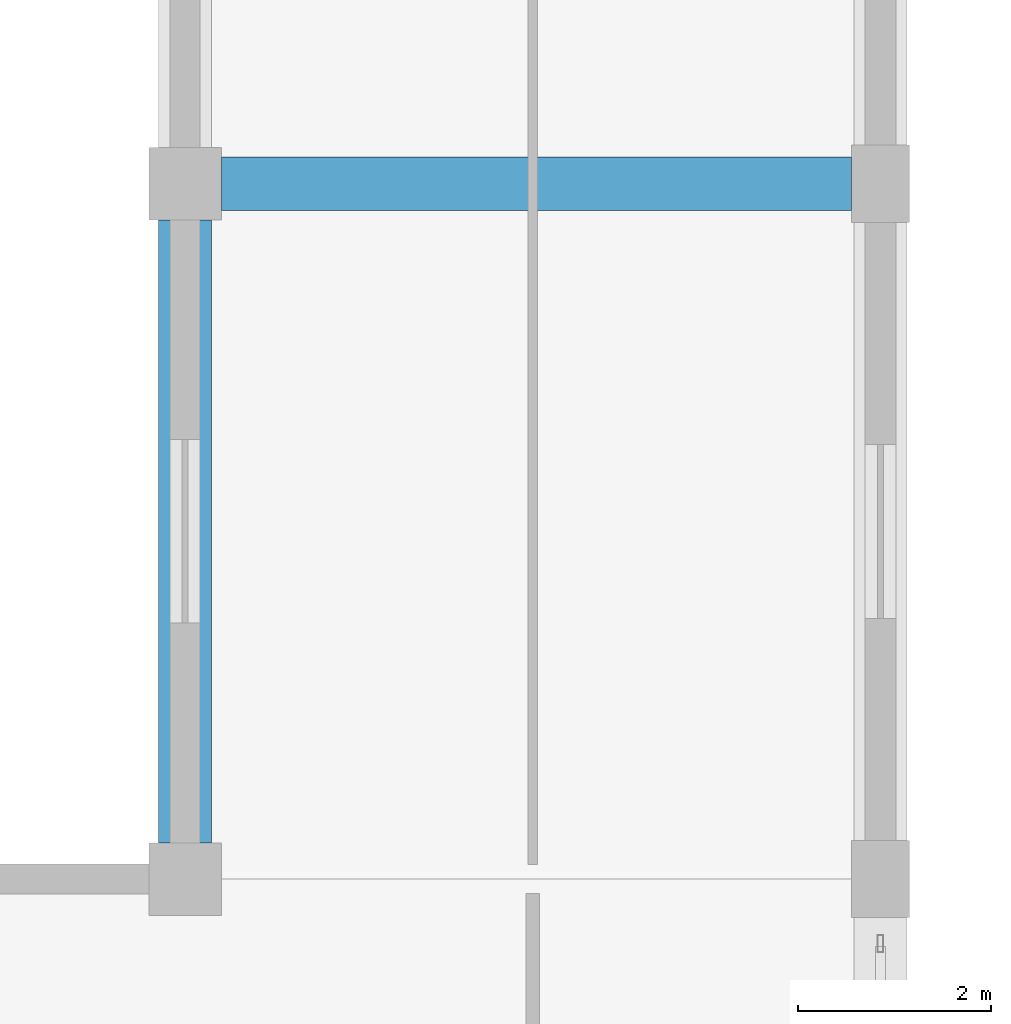
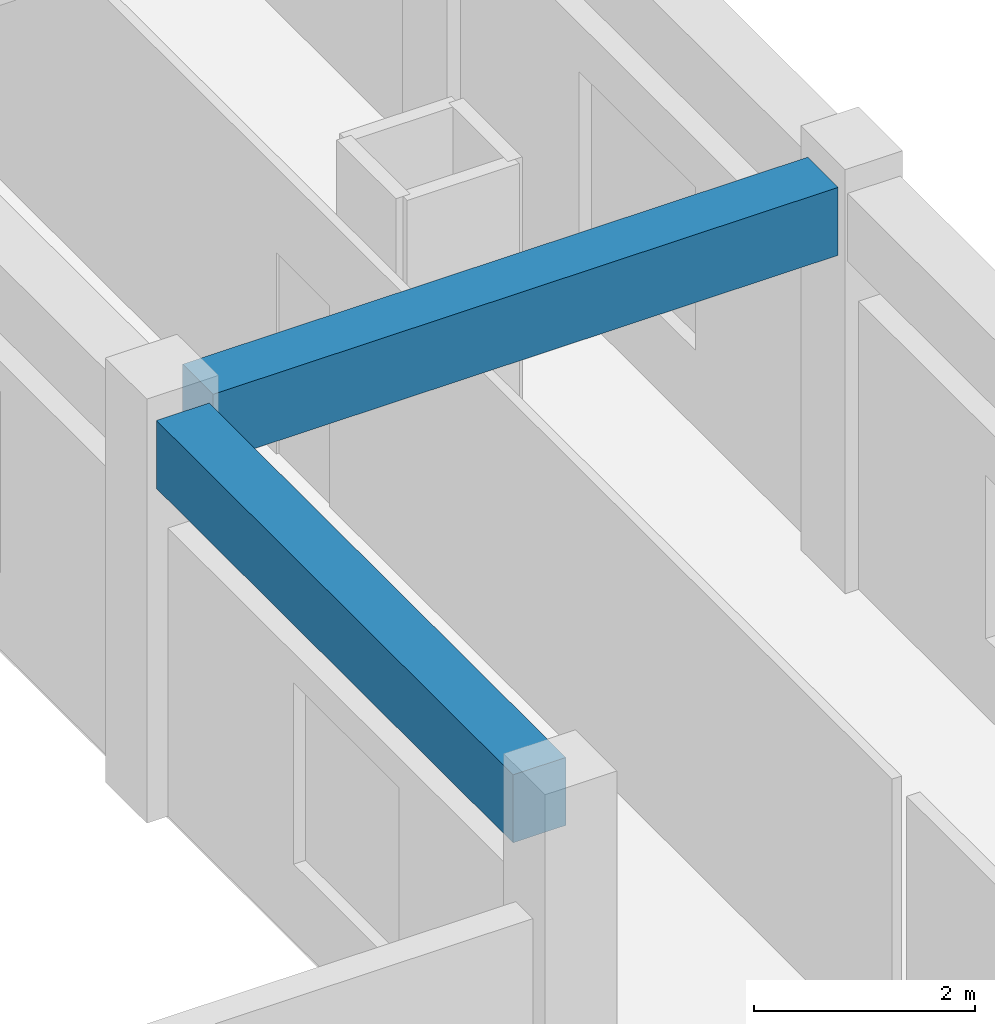
# One storey, part 22 of 55: 2 beams.
"""IFC4 building model written with IfcOpenShell, lengths in metres."""

import ifcopenshell
import ifcopenshell.guid

model = None  # the IFC model being written
_history = None  # IfcOwnerHistory: only IFC2X3 demands one
_inside = {}  # id of a spatial element -> (the spatial element, [elements in it])
_under = {}  # id of a project, library or spatial element -> (it, [spatial elements below it])
_declared = {}  # id of a project -> (the project, [libraries it declares])
_typed = {}  # id of a type object -> (the type object, [elements of that type])
_made_of = {}  # id of a material, layer set ... -> (it, [elements and type objects made of it])


def new_model(schema):
    """Start an empty IFC model of exactly this schema.

    Asked for "IFC4X3", IfcOpenShell would pick the latest addendum, in which some entities
    have other attributes; the version numbers below select the first issue.
    IFC2X3 requires an IfcOwnerHistory on every rooted entity: one is made here for all.
    """
    global model, _history
    if schema == "IFC4X3":
        model = ifcopenshell.file(schema_version=(4, 3, 0, 0))
    else:
        model = ifcopenshell.file(schema=schema)
    _inside.clear()
    _under.clear()
    _declared.clear()
    _typed.clear()
    _made_of.clear()
    _history = None
    if model.schema == "IFC2X3":
        org = make("IfcOrganization", Name="unknown")
        user = make(
            "IfcPersonAndOrganization",
            ThePerson=make("IfcPerson", FamilyName="unknown"),
            TheOrganization=org,
        )
        app = make(
            "IfcApplication",
            ApplicationDeveloper=org,
            Version="unknown",
            ApplicationFullName="unknown",
            ApplicationIdentifier="unknown",
        )
        _history = make(
            "IfcOwnerHistory",
            OwningUser=user,
            OwningApplication=app,
            ChangeAction="ADDED",
            CreationDate=0,
        )
    return model


def make(cls, **values):
    """One entity of the class cls with the attributes given. An attribute that is None is left unset."""
    return model.create_entity(
        cls, **{name: value for name, value in values.items() if value is not None}
    )


def rooted(cls, **values):
    """An entity with a GlobalId (a new one), such as an element, a storey or a relation."""
    return make(cls, GlobalId=ifcopenshell.guid.new(), OwnerHistory=_history, **values)


def si_unit(unit_type, name, prefix=None):
    """IfcSIUnit, for example si_unit("LENGTHUNIT", "METRE", prefix="MILLI")."""
    return make("IfcSIUnit", UnitType=unit_type, Prefix=prefix, Name=name)


def assignment(units):
    """IfcUnitAssignment: the units of a project."""
    return None if units is None else make("IfcUnitAssignment", Units=units)


def point(xyz):
    """IfcCartesianPoint."""
    return None if xyz is None else make("IfcCartesianPoint", Coordinates=xyz)


def direction(xyz):
    """IfcDirection."""
    return None if xyz is None else make("IfcDirection", DirectionRatios=xyz)


def frame(location, z_axis=None, x_axis=None):
    """IfcAxis2Placement3D, a coordinate frame: its origin and axes. An axis left out is left unset."""
    return make(
        "IfcAxis2Placement3D",
        Location=point(location),
        Axis=direction(z_axis),
        RefDirection=direction(x_axis),
    )


def frame_2d(location, x_axis=None):
    """IfcAxis2Placement2D, a coordinate frame in the plane: its origin and x axis."""
    return make(
        "IfcAxis2Placement2D", Location=point(location), RefDirection=direction(x_axis)
    )


def origin():
    """The frame at (0, 0, 0) with its axes left unset."""
    return frame((0.0, 0.0, 0.0))


def origin_2d():
    """The frame at (0, 0) in the plane with its x axis left unset."""
    return frame_2d((0.0, 0.0))


def place(relative_to, where):
    """IfcLocalPlacement: puts the frame where relative to a parent placement (None: the world)."""
    return make(
        "IfcLocalPlacement", PlacementRelTo=relative_to, RelativePlacement=where
    )


def context(
    kind, dimensions, precision=None, world=None, true_north=None, identifier=None
):
    """IfcGeometricRepresentationContext, for example the 3D "Model" context."""
    return make(
        "IfcGeometricRepresentationContext",
        ContextIdentifier=identifier,
        ContextType=kind,
        CoordinateSpaceDimension=dimensions,
        Precision=precision,
        WorldCoordinateSystem=world,
        TrueNorth=true_north,
    )


def subcontext(parent, identifier, kind, view, scale=None):
    """IfcGeometricRepresentationSubContext, for example "Body" below "Model"."""
    return make(
        "IfcGeometricRepresentationSubContext",
        ContextIdentifier=identifier,
        ContextType=kind,
        ParentContext=parent,
        TargetScale=scale,
        TargetView=view,
    )


def project(units=None, contexts=None):
    """IfcProject with its units and contexts."""
    return rooted(
        "IfcProject",
        Name="project",
        RepresentationContexts=contexts,
        UnitsInContext=assignment(units),
    )


def spatial(cls, under=None, at=None, **own):
    """A site, building, storey or space (cls), placed at a placement, below another one or the project."""
    s = rooted(cls, ObjectPlacement=at, **own)
    if under is not None:
        _under.setdefault(under.id(), (under, []))[1].append(s)
    return s


def profile(cls, at=None, kind="AREA", **sizes):
    """A parametric profile (cls). Its sizes go by their IFC names, for example OverallWidth=200.0."""
    return make(cls, ProfileType=kind, Position=at, **sizes)


def rectangle(**sizes):
    """IfcRectangleProfileDef."""
    return profile("IfcRectangleProfileDef", **sizes)


def extrude(swept, where, along, depth):
    """IfcExtrudedAreaSolid: the profile swept, set in the frame where, extruded along a direction by depth."""
    return make(
        "IfcExtrudedAreaSolid",
        SweptArea=swept,
        Position=where,
        ExtrudedDirection=direction(along),
        Depth=depth,
    )


def shape(context_of_items, identifier, shape_type, items):
    """IfcShapeRepresentation: the items that make up one representation, for example the "Body"."""
    return make(
        "IfcShapeRepresentation",
        ContextOfItems=context_of_items,
        RepresentationIdentifier=identifier,
        RepresentationType=shape_type,
        Items=items,
    )


def material(Name=None, Category=None):
    """IfcMaterial."""
    return make("IfcMaterial", Name=Name, Category=Category)


def material_profile(
    of_material, cross_section, Name=None, Category=None, Priority=None
):
    """IfcMaterialProfile: a cross section and its material."""
    return make(
        "IfcMaterialProfile",
        Name=Name,
        Material=of_material,
        Profile=cross_section,
        Priority=Priority,
        Category=Category,
    )


def profile_set(profiles, Name=None, composite=None):
    """IfcMaterialProfileSet."""
    return make(
        "IfcMaterialProfileSet",
        Name=Name,
        MaterialProfiles=profiles,
        CompositeProfile=composite,
    )


def made_of(thing, what):
    """Note that an element or type object is made of a material, layer set ...; save() writes the relation."""
    if what is not None:
        _made_of.setdefault(what.id(), (what, []))[1].append(thing)
    return thing


def type_object(cls, material=None, **own):
    """A type object (cls), such as IfcWallType, which elements share."""
    return made_of(rooted(cls, **own), material)


def element(
    cls,
    number,
    at=None,
    inside=None,
    cuts=None,
    type_object=None,
    material=None,
    context=None,
    identifier="Body",
    shape_type=None,
    held_by="IfcProductDefinitionShape",
    body=None,
    shapes=None,
    **own,
):
    """One element of the class cls, such as IfcWall. Its Tag is "e" and its number.

    at: its placement. inside: the storey or other place that contains it. cuts: it is an
    opening in that element (IfcRelVoidsElement). A single representation is given by context,
    identifier, shape_type and body (its items); several are given by shapes. held_by: the class
    of the entity that holds the representations. save() writes the other relations.
    """
    e = rooted(cls, Tag="e%d" % number, ObjectPlacement=at, **own)
    if body is not None:
        shapes = [shape(context, identifier, shape_type, body)]
    if shapes is not None:
        e.Representation = make(held_by, Representations=shapes)
    if inside is not None:
        _inside.setdefault(inside.id(), (inside, []))[1].append(e)
    if cuts is not None:
        rooted(
            "IfcRelVoidsElement", RelatingBuildingElement=cuts, RelatedOpeningElement=e
        )
    if type_object is not None:
        _typed.setdefault(type_object.id(), (type_object, []))[1].append(e)
    return made_of(e, material)


def aggregate(whole, parts):
    """IfcRelAggregates: a whole, such as a stair, and the parts it consists of."""
    return rooted("IfcRelAggregates", RelatingObject=whole, RelatedObjects=parts)


def save(model, path):
    """Write the relations noted so far, then the file.

    IfcRelAggregates (storeys below a building ...), IfcRelContainedInSpatialStructure (elements
    in a storey), IfcRelDefinesByType, IfcRelAssociatesMaterial and IfcRelDeclares: one each for
    every whole, place, type object, material and project.
    """
    for whole, parts in _under.values():
        aggregate(whole, parts)
    for where, things in _inside.values():
        rooted(
            "IfcRelContainedInSpatialStructure",
            RelatedElements=things,
            RelatingStructure=where,
        )
    for kind, things in _typed.values():
        rooted("IfcRelDefinesByType", RelatedObjects=things, RelatingType=kind)
    for what, things in _made_of.values():
        rooted("IfcRelAssociatesMaterial", RelatedObjects=things, RelatingMaterial=what)
    for by, libraries in _declared.values():
        rooted("IfcRelDeclares", RelatingContext=by, RelatedDefinitions=libraries)
    model.write(path)


model = new_model("IFC4")

# Units and contexts
model_context = context("Model", 3, precision=1e-05, world=origin(), true_north=direction((0.0, 1.0)))
body_context = subcontext(model_context, "Body", "Model", "MODEL_VIEW")
ifc_project = project(units=[si_unit("LENGTHUNIT", "METRE"), si_unit("AREAUNIT", "SQUARE_METRE"), si_unit("VOLUMEUNIT", "CUBIC_METRE"), si_unit("PLANEANGLEUNIT", "RADIAN"), si_unit("MASSUNIT", "GRAM", prefix="KILO")], contexts=[model_context])

# Site, building, storey
site_placement = place(None, origin())
site = spatial("IfcSite", under=ifc_project, at=site_placement, CompositionType="ELEMENT")
building_placement = place(site_placement, origin())
building = spatial("IfcBuilding", under=site, at=building_placement, Name="Kazehaya Institute of Natural Sciences", CompositionType="ELEMENT")
storey_placement = place(building_placement, frame((0.0, 0.0, 15.1201171875)))
storey = spatial("IfcBuildingStorey", under=building, at=storey_placement, Name="L03", CompositionType="ELEMENT", Elevation=15.1201171875)

# Beams
ifc_material = material(Name="Concrete Fc36", Category="concrete")
ifc_material_profile = material_profile(ifc_material, rectangle(XDim=0.550048828125, YDim=0.75, at=origin_2d()), Name="RC-550x750")
ifc_profile_set = profile_set([ifc_material_profile], Name="Concrete Fc36")
beam_type = type_object("IfcBeamType", Name="BM-G-550x750", PredefinedType="BEAM", material=ifc_profile_set)
beam_1_placement = place(storey_placement, frame((105.375, 71.60009765625, 4.034912109375), z_axis=(1.0, 0.0, 0.0), x_axis=(0.0, 1.0, 0.0)))
element("IfcBeam", 1, at=beam_1_placement, inside=storey, type_object=beam_type, Name="L03 primary X girder BMX-L03-1050-716", PredefinedType="BEAM", context=body_context, shape_type="SweptSolid", body=[
    extrude(rectangle(XDim=0.550048828125, YDim=0.75, at=origin_2d()), origin(), (0.0, 0.0, 1.0), 6.52490234375),
])
beam_2_placement = place(storey_placement, frame((105.0, 64.77490234375, 4.034912109375), z_axis=(0.0, 1.0, 0.0), x_axis=(-1.0, 0.0, 0.0)))
element("IfcBeam", 2, at=beam_2_placement, inside=storey, type_object=beam_type, Name="L03 primary Y girder BMY-L03-1050-644", PredefinedType="BEAM", context=body_context, shape_type="SweptSolid", body=[
    extrude(rectangle(XDim=0.550048828125, YDim=0.75, at=origin_2d()), origin(), (0.0, 0.0, 1.0), 6.4501953125),
])

save(model, "model.ifc")
